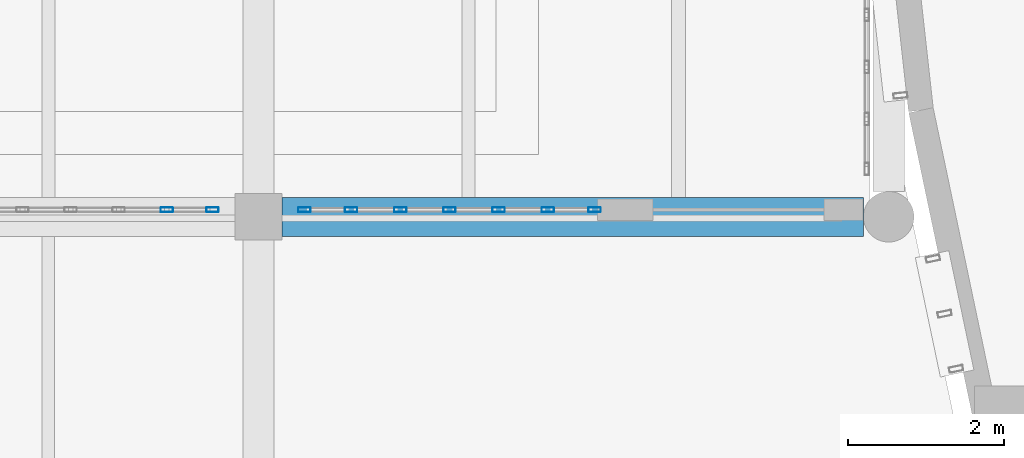
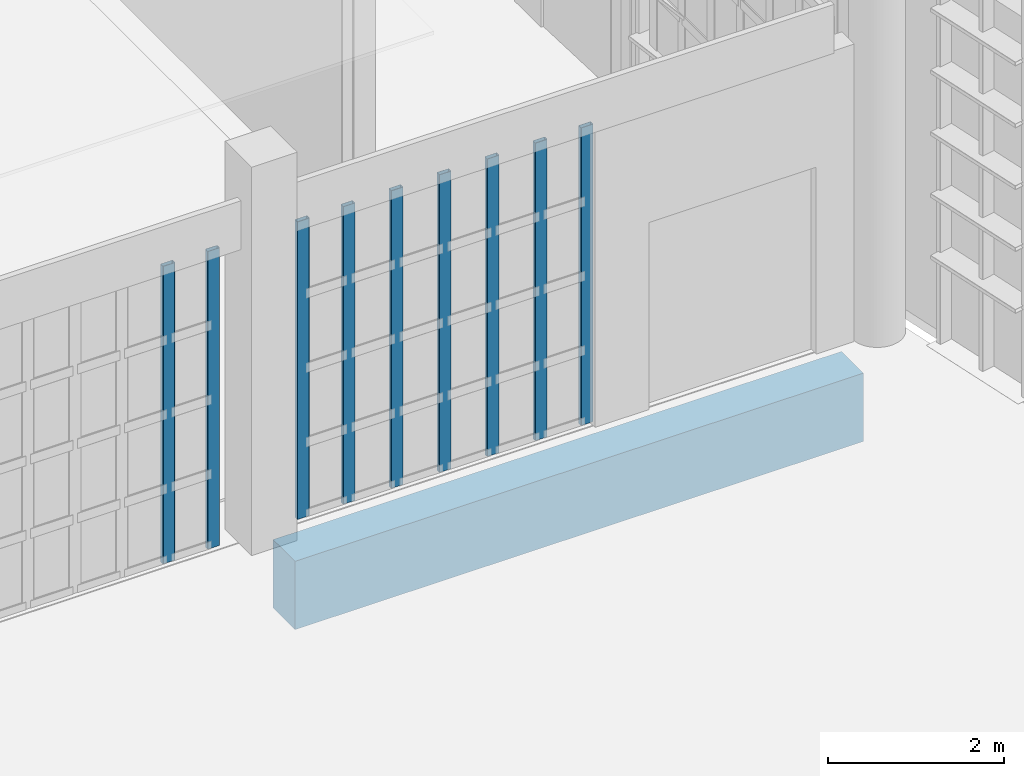
# One storey, part 220 of 372: 9 members, 1 beam, 2 elements without a shape of their own.
"""IFC4 building model written with IfcOpenShell, lengths in metres."""

from ifc_helpers import new_model, si_unit, direction, frame, origin, origin_2d, place, context, subcontext, project, spatial, rectangle, hollow_rectangle, extrude, material, material_profile, profile_set, type_object, element, aggregate, save


model = new_model("IFC4")

# Units and contexts
model_context = context("Model", 3, precision=1e-05, world=origin(), true_north=direction((0.0, 1.0)))
body_context = subcontext(model_context, "Body", "Model", "MODEL_VIEW")
ifc_project = project(units=[si_unit("LENGTHUNIT", "METRE"), si_unit("AREAUNIT", "SQUARE_METRE"), si_unit("VOLUMEUNIT", "CUBIC_METRE"), si_unit("PLANEANGLEUNIT", "RADIAN"), si_unit("MASSUNIT", "GRAM", prefix="KILO")], contexts=[model_context])

# Site, building, storey
site_placement = place(None, origin())
site = spatial("IfcSite", under=ifc_project, at=site_placement, CompositionType="ELEMENT")
building_placement = place(site_placement, origin())
building = spatial("IfcBuilding", under=site, at=building_placement, Name="Kaelora Sail Theatre", CompositionType="ELEMENT")
storey_placement = place(building_placement, origin())
storey = spatial("IfcBuildingStorey", under=building, at=storey_placement, Name="L00", CompositionType="ELEMENT", Elevation=0.0)

# Curtain wall, members
ifc_material_1 = material(Name="Anodised aluminium and solar-control low-E IGU", Category="aluminium")
curtain_wall_type = type_object("IfcCurtainWallType", Name="ARC-CW-CW-FOY2", PredefinedType="NOTDEFINED", material=ifc_material_1)
curtain_wall_1_placement = place(storey_placement, origin())
curtain_wall_1 = element("IfcCurtainWall", 1, at=curtain_wall_1_placement, inside=storey, type_object=curtain_wall_type, Name="East Interstitial Sail Foyer Curtain Wall L00-02", PredefinedType="NOTDEFINED")
ifc_material_2 = material(Name="Anodised aluminium 6063-T6", Category="aluminium")
ifc_material_profile_1 = material_profile(ifc_material_2, hollow_rectangle(XDim=0.06005859375, YDim=0.159912109375, WallThickness=0.00390625, InnerFilletRadius=0.00390625, OuterFilletRadius=0.008056640625, at=origin_2d()), Name="ALU-MULL 60x160x4")
ifc_profile_set_1 = profile_set([ifc_material_profile_1], Name="Anodised aluminium 6063-T6")
member_type = type_object("IfcMemberType", Name="ARC-MEM-ML-160", PredefinedType="MULLION", material=ifc_profile_set_1)
member_1_placement = place(storey_placement, frame((113.721923828125, 38.7900390625, 0.0), z_axis=(0.0, 0.0, 1.0), x_axis=(0.0, 1.0, 0.0)))
member_1 = element("IfcMember", 2, at=member_1_placement, type_object=member_type, Name="CW-FOY2 mullion 5", PredefinedType="MULLION", context=body_context, shape_type="SweptSolid", body=[
    extrude(hollow_rectangle(XDim=0.06005859375, YDim=0.159912109375, WallThickness=0.00390625, InnerFilletRadius=0.00390625, OuterFilletRadius=0.008056640625, at=origin_2d()), origin(), (0.0, 0.0, 1.0), 4.136962890625),
])
member_2_placement = place(storey_placement, frame((114.31005859375, 38.7900390625, 0.0), z_axis=(0.0, 0.0, 1.0), x_axis=(0.0, 1.0, 0.0)))
member_2 = element("IfcMember", 3, at=member_2_placement, type_object=member_type, Name="CW-FOY2 mullion 6", PredefinedType="MULLION", context=body_context, shape_type="SweptSolid", body=[
    extrude(hollow_rectangle(XDim=0.06005859375, YDim=0.159912109375, WallThickness=0.00390625, InnerFilletRadius=0.00390625, OuterFilletRadius=0.008056640625, at=origin_2d()), origin(), (0.0, 0.0, 1.0), 4.136962890625),
])
aggregate(curtain_wall_1, [member_1, member_2])

curtain_wall_2_placement = place(storey_placement, origin())
curtain_wall_2 = element("IfcCurtainWall", 4, at=curtain_wall_2_placement, inside=storey, type_object=curtain_wall_type, Name="East Interstitial Sail Foyer Curtain Wall L00-03", PredefinedType="NOTDEFINED")
member_3_placement = place(storey_placement, frame((115.489990234375, 38.7900390625, 0.0), z_axis=(0.0, 0.0, 1.0), x_axis=(0.0, 1.0, 0.0)))
member_3 = element("IfcMember", 5, at=member_3_placement, type_object=member_type, Name="CW-FOY2 mullion 1", PredefinedType="MULLION", context=body_context, shape_type="SweptSolid", body=[
    extrude(hollow_rectangle(XDim=0.06005859375, YDim=0.159912109375, WallThickness=0.00390625, InnerFilletRadius=0.00390625, OuterFilletRadius=0.008056640625, at=origin_2d()), origin(), (0.0, 0.0, 1.0), 4.136962890625),
])
member_4_placement = place(storey_placement, frame((116.091552734375, 38.7900390625, 0.0), z_axis=(0.0, 0.0, 1.0), x_axis=(0.0, 1.0, 0.0)))
member_4 = element("IfcMember", 6, at=member_4_placement, type_object=member_type, Name="CW-FOY2 mullion 2", PredefinedType="MULLION", context=body_context, shape_type="SweptSolid", body=[
    extrude(hollow_rectangle(XDim=0.06005859375, YDim=0.159912109375, WallThickness=0.00390625, InnerFilletRadius=0.00390625, OuterFilletRadius=0.008056640625, at=origin_2d()), origin(), (0.0, 0.0, 1.0), 4.136962890625),
])
member_5_placement = place(storey_placement, frame((116.723388671875, 38.7900390625, 0.0), z_axis=(0.0, 0.0, 1.0), x_axis=(0.0, 1.0, 0.0)))
member_5 = element("IfcMember", 7, at=member_5_placement, type_object=member_type, Name="CW-FOY2 mullion 3", PredefinedType="MULLION", context=body_context, shape_type="SweptSolid", body=[
    extrude(hollow_rectangle(XDim=0.06005859375, YDim=0.159912109375, WallThickness=0.00390625, InnerFilletRadius=0.00390625, OuterFilletRadius=0.008056640625, at=origin_2d()), origin(), (0.0, 0.0, 1.0), 4.136962890625),
])
member_6_placement = place(storey_placement, frame((117.35498046875, 38.7900390625, 0.0), z_axis=(0.0, 0.0, 1.0), x_axis=(0.0, 1.0, 0.0)))
member_6 = element("IfcMember", 8, at=member_6_placement, type_object=member_type, Name="CW-FOY2 mullion 4", PredefinedType="MULLION", context=body_context, shape_type="SweptSolid", body=[
    extrude(hollow_rectangle(XDim=0.06005859375, YDim=0.159912109375, WallThickness=0.00390625, InnerFilletRadius=0.00390625, OuterFilletRadius=0.008056640625, at=origin_2d()), origin(), (0.0, 0.0, 1.0), 4.136962890625),
])
member_7_placement = place(storey_placement, frame((117.986572265625, 38.7900390625, 0.0), z_axis=(0.0, 0.0, 1.0), x_axis=(0.0, 1.0, 0.0)))
member_7 = element("IfcMember", 9, at=member_7_placement, type_object=member_type, Name="CW-FOY2 mullion 5", PredefinedType="MULLION", context=body_context, shape_type="SweptSolid", body=[
    extrude(hollow_rectangle(XDim=0.06005859375, YDim=0.159912109375, WallThickness=0.00390625, InnerFilletRadius=0.00390625, OuterFilletRadius=0.008056640625, at=origin_2d()), origin(), (0.0, 0.0, 1.0), 4.136962890625),
])
member_8_placement = place(storey_placement, frame((118.618408203125, 38.7900390625, 0.0), z_axis=(0.0, 0.0, 1.0), x_axis=(0.0, 1.0, 0.0)))
member_8 = element("IfcMember", 10, at=member_8_placement, type_object=member_type, Name="CW-FOY2 mullion 6", PredefinedType="MULLION", context=body_context, shape_type="SweptSolid", body=[
    extrude(hollow_rectangle(XDim=0.06005859375, YDim=0.159912109375, WallThickness=0.00390625, InnerFilletRadius=0.00390625, OuterFilletRadius=0.008056640625, at=origin_2d()), origin(), (0.0, 0.0, 1.0), 4.136962890625),
])
member_9_placement = place(storey_placement, frame((119.219970703125, 38.7900390625, 0.0), z_axis=(0.0, 0.0, 1.0), x_axis=(0.0, 1.0, 0.0)))
member_9 = element("IfcMember", 11, at=member_9_placement, type_object=member_type, Name="CW-FOY2 mullion 7", PredefinedType="MULLION", context=body_context, shape_type="SweptSolid", body=[
    extrude(hollow_rectangle(XDim=0.06005859375, YDim=0.159912109375, WallThickness=0.00390625, InnerFilletRadius=0.00390625, OuterFilletRadius=0.008056640625, at=origin_2d()), origin(), (0.0, 0.0, 1.0), 4.136962890625),
])
aggregate(curtain_wall_2, [member_3, member_4, member_5, member_6, member_7, member_8, member_9])

# Beam
ifc_material_3 = material(Name="Concrete C45/55", Category="concrete")
ifc_material_profile_2 = material_profile(ifc_material_3, rectangle(XDim=0.5, YDim=0.949951171875, at=origin_2d()), Name="RC-GRD 500x950")
ifc_profile_set_2 = profile_set([ifc_material_profile_2], Name="Concrete C45/55")
beam_type = type_object("IfcBeamType", Name="STR-BM-GR-RC5095", PredefinedType="T_BEAM", material=ifc_profile_set_2)
beam_placement = place(storey_placement, frame((115.199951171875, 38.699951171875, -0.794921875), z_axis=(1.0, 0.0, 0.0), x_axis=(0.0, 1.0, 0.0)))
element("IfcBeam", 12, at=beam_placement, inside=storey, type_object=beam_type, Name="Primary beam F 15-16 (L00)", PredefinedType="T_BEAM", context=body_context, shape_type="SweptSolid", body=[
    extrude(rectangle(XDim=0.5, YDim=0.949951171875, at=origin_2d()), origin(), (0.0, 0.0, 1.0), 7.47509765625),
])

save(model, "model.ifc")
